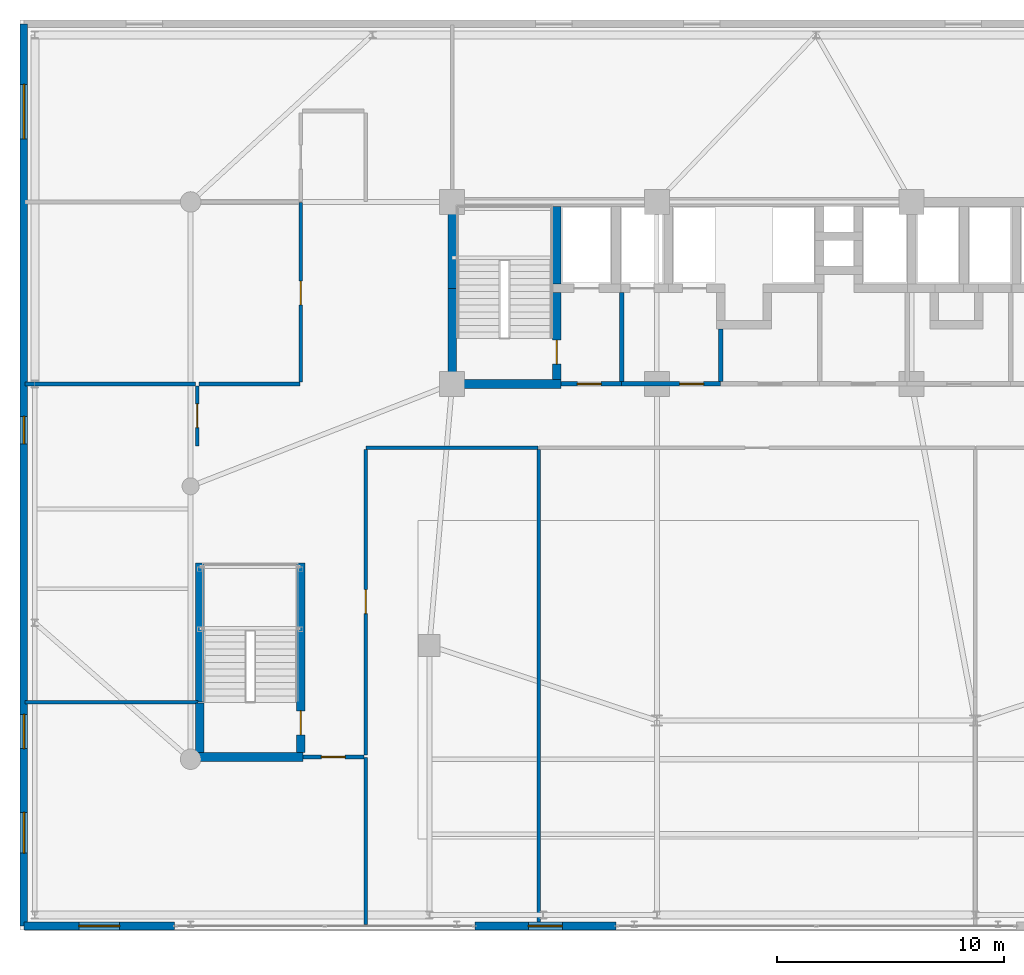
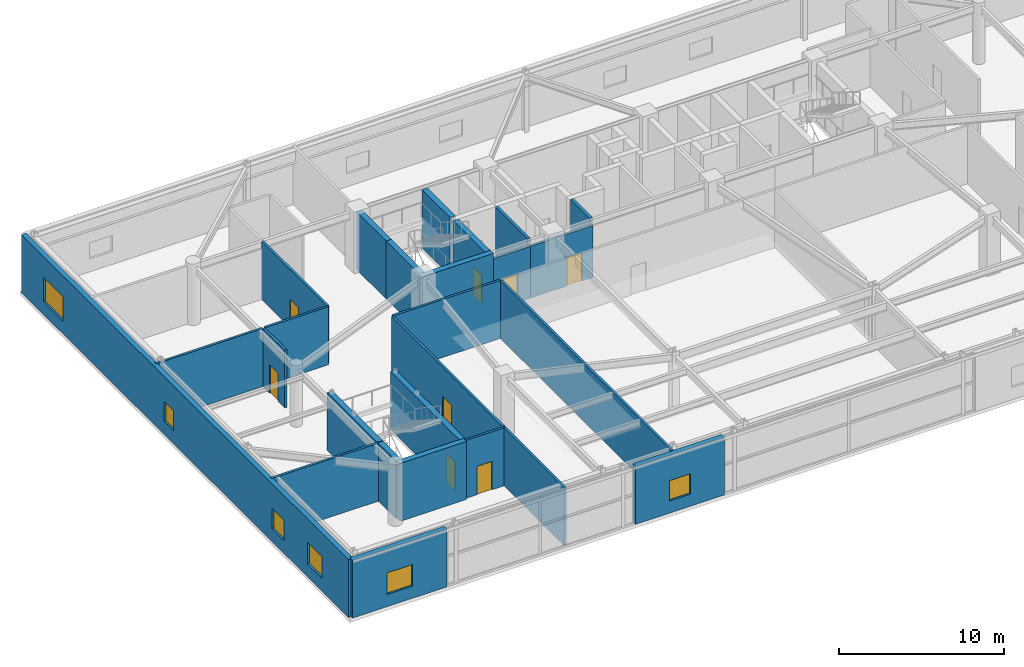
# One storey, part 20 of 26: 26 walls, 8 doors, 6 windows, 14 openings.
"""IFC4 building model written with IfcOpenShell, lengths in metres."""

from ifc_helpers import new_model, si_unit, direction, frame, frame_2d, origin, place, context, subcontext, project, spatial, rectangle, extrude, source, transform, mapped, material, layer, layer_set, type_object, element, fill, save


model = new_model("IFC4")

# Units and contexts
model_context = context("Model", 3, precision=1e-05, world=origin(), true_north=direction((0.0, 1.0)))
body_context = subcontext(model_context, "Body", "Model", "MODEL_VIEW")
ifc_project = project(units=[si_unit("LENGTHUNIT", "METRE"), si_unit("AREAUNIT", "SQUARE_METRE"), si_unit("VOLUMEUNIT", "CUBIC_METRE"), si_unit("PLANEANGLEUNIT", "RADIAN"), si_unit("MASSUNIT", "GRAM", prefix="KILO")], contexts=[model_context])

# Site, building, storey
site_placement = place(None, origin())
site = spatial("IfcSite", under=ifc_project, at=site_placement, CompositionType="ELEMENT")
building_placement = place(site_placement, origin())
building = spatial("IfcBuilding", under=site, at=building_placement, Name="Taldren Reach Tower", CompositionType="ELEMENT")
storey_placement = place(building_placement, frame((0.0, 0.0, 8.39990234375)))
storey = spatial("IfcBuildingStorey", under=building, at=storey_placement, Name="L02", CompositionType="ELEMENT", Elevation=8.39990234375)

# Wall, openings, windows
ifc_material_1 = material(Name="Pale Champagne Anodised Aluminium Cladding", Category="aluminium")
ifc_layer_1 = layer(ifc_material_1, 0.04, Name="Pale Champagne Anodised Aluminium Cladding", Category="aluminium")
ifc_material_2 = material(Name="Mineral Wool Thermal Insulation", Category="insulation")
ifc_layer_2 = layer(ifc_material_2, 0.08, Name="Mineral Wool Thermal Insulation", Category="insulation")
ifc_material_3 = material(Name="Concrete S50 (50 MPa)", Category="concrete")
ifc_layer_3 = layer(ifc_material_3, 0.22, Name="Concrete S50 (50 MPa)", Category="concrete")
ifc_layer_set_1 = layer_set([ifc_layer_1, ifc_layer_2, ifc_layer_3], Name="Pale Champagne Aluminium Cladding and Precast Concrete 50 MPa (S50)")
wall_type_1 = type_object("IfcWallType", Name="EW-POD-340", PredefinedType="SOLIDWALL", material=ifc_layer_set_1)
shared_shape_1 = source(origin(), body_context, "Body", "SweptSolid", [
    extrude(rectangle(XDim=39.66015625, YDim=0.340087890625, at=frame_2d((19.830078125, 0.0))), origin(), (0.0, 0.0, 1.0), 4.2900390625),
])
wall_1_placement = place(storey_placement, frame((0.169921875, 0.169921875, 0.0), z_axis=(0.0, 0.0, 1.0), x_axis=(0.0, 1.0, 0.0)))
wall_1 = element("IfcWall", 1, at=wall_1_placement, inside=storey, type_object=wall_type_1, Name="Podium facade wall L02-W", PredefinedType="SOLIDWALL", context=body_context, shape_type="MappedRepresentation", body=[
    mapped(shared_shape_1, transform((0.0, 0.0, 0.0), scale=1.0)),
])
shared_shape_2 = source(origin(), body_context, "Body", "SweptSolid", [
    extrude(rectangle(XDim=1.800048828125, YDim=1.60009765625, at=frame_2d((0.89990234375, 0.800048828125))), frame((0.0, 0.18017578125, 0.0), z_axis=(0.0, -1.0, 0.0), x_axis=(1.0, 0.0, 0.0)), (0.0, 0.0, 1.0), 0.360107421875),
])
opening_1_placement = place(wall_1_placement, frame((3.199951171875, 0.0, 0.949951171875)))
opening_1 = element("IfcOpeningElement", 2, at=opening_1_placement, cuts=wall_1, Name="Opening W-1816", PredefinedType="OPENING", context=body_context, shape_type="MappedRepresentation", body=[
    mapped(shared_shape_2, transform((0.0, 0.0, 0.0), scale=1.0)),
])
shared_shape_3 = source(origin(), body_context, "Body", "SweptSolid", [
    extrude(rectangle(XDim=1.5, YDim=1.5, at=frame_2d((0.75, 0.75))), frame((0.0, 0.18017578125, 0.0), z_axis=(0.0, -1.0, 0.0), x_axis=(1.0, 0.0, 0.0)), (0.0, 0.0, 1.0), 0.360107421875),
])
opening_2_placement = place(wall_1_placement, frame((7.800048828125, 0.0, 0.949951171875)))
opening_2 = element("IfcOpeningElement", 3, at=opening_2_placement, cuts=wall_1, Name="Opening W-1515", PredefinedType="OPENING", context=body_context, shape_type="MappedRepresentation", body=[
    mapped(shared_shape_3, transform((0.0, 0.0, 0.0), scale=1.0)),
])
shared_shape_4 = source(origin(), body_context, "Body", "SweptSolid", [
    extrude(rectangle(XDim=1.199951171875, YDim=1.5, at=frame_2d((0.60009765625, 0.75))), frame((0.0, 0.18017578125, 0.0), z_axis=(0.0, -1.0, 0.0), x_axis=(1.0, 0.0, 0.0)), (0.0, 0.0, 1.0), 0.360107421875),
])
opening_3_placement = place(wall_1_placement, frame((21.199951171875, 0.0, 0.949951171875)))
opening_3 = element("IfcOpeningElement", 4, at=opening_3_placement, cuts=wall_1, Name="Opening W-1215", PredefinedType="OPENING", context=body_context, shape_type="MappedRepresentation", body=[
    mapped(shared_shape_4, transform((0.0, 0.0, 0.0), scale=1.0)),
])
shared_shape_5 = source(origin(), body_context, "Body", "SweptSolid", [
    extrude(rectangle(XDim=2.39990234375, YDim=1.800048828125, at=frame_2d((1.199951171875, 0.89990234375))), frame((0.0, 0.18017578125, 0.0), z_axis=(0.0, -1.0, 0.0), x_axis=(1.0, 0.0, 0.0)), (0.0, 0.0, 1.0), 0.360107421875),
])
opening_4_placement = place(wall_1_placement, frame((34.60009765625, 0.0, 0.949951171875)))
opening_4 = element("IfcOpeningElement", 5, at=opening_4_placement, cuts=wall_1, Name="Opening W-2418", PredefinedType="OPENING", context=body_context, shape_type="MappedRepresentation", body=[
    mapped(shared_shape_5, transform((0.0, 0.0, 0.0), scale=1.0)),
])
ifc_material_4 = material(Name="Thermally Broken Aluminium and Low-E IGU", Category="aluminium")
window_type_1 = type_object("IfcWindowType", Name="WN-POD-1200", PartitioningType="SINGLE_PANEL", PredefinedType="WINDOW", material=ifc_material_4)
shared_shape_6 = source(origin(), body_context, "Body", "SweptSolid", [
    extrude(rectangle(XDim=1.199951171875, YDim=1.5, at=frame_2d((0.60009765625, 0.75))), frame((0.0, 0.030029296875, 0.0), z_axis=(0.0, -1.0, 0.0), x_axis=(1.0, 0.0, 0.0)), (0.0, 0.0, 1.0), 0.06005859375),
])
window_1_placement = place(opening_3_placement, origin())
window_1 = element("IfcWindow", 6, at=window_1_placement, inside=storey, type_object=window_type_1, Name="Clinical window L02-W3", OverallHeight=1.5, OverallWidth=1.199951171875, PartitioningType="SINGLE_PANEL", PredefinedType="WINDOW", context=body_context, shape_type="MappedRepresentation", body=[
    mapped(shared_shape_6, transform((0.0, 0.0, 0.0), scale=1.0)),
])
fill(opening_3, window_1)
window_type_2 = type_object("IfcWindowType", Name="WN-POD-1800", PartitioningType="SINGLE_PANEL", PredefinedType="WINDOW", material=ifc_material_4)
shared_shape_7 = source(origin(), body_context, "Body", "SweptSolid", [
    extrude(rectangle(XDim=1.800048828125, YDim=1.60009765625, at=frame_2d((0.89990234375, 0.800048828125))), frame((0.0, 0.030029296875, 0.0), z_axis=(0.0, -1.0, 0.0), x_axis=(1.0, 0.0, 0.0)), (0.0, 0.0, 1.0), 0.06005859375),
])
window_2_placement = place(opening_1_placement, origin())
window_2 = element("IfcWindow", 7, at=window_2_placement, inside=storey, type_object=window_type_2, Name="Clinical window L02-W1", OverallHeight=1.60009765625, OverallWidth=1.800048828125, PartitioningType="SINGLE_PANEL", PredefinedType="WINDOW", context=body_context, shape_type="MappedRepresentation", body=[
    mapped(shared_shape_7, transform((0.0, 0.0, 0.0), scale=1.0)),
])
fill(opening_1, window_2)
window_type_3 = type_object("IfcWindowType", Name="WN-POD-2400", PartitioningType="SINGLE_PANEL", PredefinedType="WINDOW", material=ifc_material_4)
shared_shape_8 = source(origin(), body_context, "Body", "SweptSolid", [
    extrude(rectangle(XDim=2.39990234375, YDim=1.800048828125, at=frame_2d((1.199951171875, 0.89990234375))), frame((0.0, 0.030029296875, 0.0), z_axis=(0.0, -1.0, 0.0), x_axis=(1.0, 0.0, 0.0)), (0.0, 0.0, 1.0), 0.06005859375),
])
window_3_placement = place(opening_4_placement, origin())
window_3 = element("IfcWindow", 8, at=window_3_placement, inside=storey, type_object=window_type_3, Name="Clinical window L02-W4", OverallHeight=1.800048828125, OverallWidth=2.39990234375, PartitioningType="SINGLE_PANEL", PredefinedType="WINDOW", context=body_context, shape_type="MappedRepresentation", body=[
    mapped(shared_shape_8, transform((0.0, 0.0, 0.0), scale=1.0)),
])
fill(opening_4, window_3)
window_type_4 = type_object("IfcWindowType", Name="WN-POD-1500", PartitioningType="SINGLE_PANEL", PredefinedType="WINDOW", material=ifc_material_4)
shared_shape_9 = source(origin(), body_context, "Body", "SweptSolid", [
    extrude(rectangle(XDim=1.5, YDim=1.5, at=frame_2d((0.75, 0.75))), frame((0.0, 0.030029296875, 0.0), z_axis=(0.0, -1.0, 0.0), x_axis=(1.0, 0.0, 0.0)), (0.0, 0.0, 1.0), 0.06005859375),
])
window_4_placement = place(opening_2_placement, origin())
window_4 = element("IfcWindow", 9, at=window_4_placement, inside=storey, type_object=window_type_4, Name="Clinical window L02-W2", OverallHeight=1.5, OverallWidth=1.5, PartitioningType="SINGLE_PANEL", PredefinedType="WINDOW", context=body_context, shape_type="MappedRepresentation", body=[
    mapped(shared_shape_9, transform((0.0, 0.0, 0.0), scale=1.0)),
])
fill(opening_2, window_4)

# Wall, opening, window
shared_shape_10 = source(origin(), body_context, "Body", "SweptSolid", [
    extrude(rectangle(XDim=6.630126953125, YDim=0.340087890625, at=frame_2d((3.31494140625, 0.0))), origin(), (0.0, 0.0, 1.0), 4.2900390625),
])
wall_2_placement = place(storey_placement, frame((0.169921875, 0.169921875, 0.0), z_axis=(0.0, 0.0, 1.0), x_axis=(1.0, 0.0, 0.0)))
wall_2 = element("IfcWall", 10, at=wall_2_placement, inside=storey, type_object=wall_type_1, Name="Podium south facade wall L02-S1", PredefinedType="SOLIDWALL", context=body_context, shape_type="MappedRepresentation", body=[
    mapped(shared_shape_10, transform((0.0, 0.0, 0.0), scale=1.0)),
])
opening_5_placement = place(wall_2_placement, frame((2.4150390625, 0.0, 0.89990234375)))
opening_5 = element("IfcOpeningElement", 11, at=opening_5_placement, cuts=wall_2, Name="Opening W-1816", PredefinedType="OPENING", context=body_context, shape_type="MappedRepresentation", body=[
    mapped(shared_shape_2, transform((0.0, 0.0, 0.0), scale=1.0)),
])
window_5_placement = place(opening_5_placement, origin())
window_5 = element("IfcWindow", 12, at=window_5_placement, inside=storey, type_object=window_type_2, Name="Podium clinical window L02-S1", OverallHeight=1.60009765625, OverallWidth=1.800048828125, PartitioningType="SINGLE_PANEL", PredefinedType="WINDOW", context=body_context, shape_type="MappedRepresentation", body=[
    mapped(shared_shape_7, transform((0.0, 0.0, 0.0), scale=1.0)),
])
fill(opening_5, window_5)

shared_shape_11 = source(origin(), body_context, "Body", "SweptSolid", [
    extrude(rectangle(XDim=6.199951171875, YDim=0.340087890625, at=frame_2d((3.10009765625, 0.0))), origin(), (0.0, 0.0, 1.0), 4.2900390625),
])
wall_3_placement = place(storey_placement, frame((20.0, 0.169921875, 0.0), z_axis=(0.0, 0.0, 1.0), x_axis=(1.0, 0.0, 0.0)))
wall_3 = element("IfcWall", 13, at=wall_3_placement, inside=storey, type_object=wall_type_1, Name="Podium south facade wall L02-S2", PredefinedType="SOLIDWALL", context=body_context, shape_type="MappedRepresentation", body=[
    mapped(shared_shape_11, transform((0.0, 0.0, 0.0), scale=1.0)),
])
opening_6_placement = place(wall_3_placement, frame((2.35009765625, 0.0, 0.89990234375)))
opening_6 = element("IfcOpeningElement", 14, at=opening_6_placement, cuts=wall_3, Name="Opening W-1515", PredefinedType="OPENING", context=body_context, shape_type="MappedRepresentation", body=[
    mapped(shared_shape_3, transform((0.0, 0.0, 0.0), scale=1.0)),
])
window_6_placement = place(opening_6_placement, origin())
window_6 = element("IfcWindow", 15, at=window_6_placement, inside=storey, type_object=window_type_4, Name="Podium clinical window L02-S2", OverallHeight=1.5, OverallWidth=1.5, PartitioningType="SINGLE_PANEL", PredefinedType="WINDOW", context=body_context, shape_type="MappedRepresentation", body=[
    mapped(shared_shape_9, transform((0.0, 0.0, 0.0), scale=1.0)),
])
fill(opening_6, window_6)

# Walls
ifc_material_5 = material(Name="Concrete S80 (80 MPa)", Category="concrete")
ifc_layer_4 = layer(ifc_material_5, 0.3798828125)
ifc_layer_set_2 = layer_set([ifc_layer_4], Name="Concrete S80 (80 MPa)")
wall_type_2 = type_object("IfcWallType", Name="IW-CORE-380", PredefinedType="SHEAR", material=ifc_layer_set_2)
shared_shape_12 = source(origin(), body_context, "Body", "SweptSolid", [
    extrude(rectangle(XDim=4.010009765625, YDim=0.3798828125, at=frame_2d((2.0048828125, 0.0))), origin(), (0.0, 0.0, 1.0), 4.2900390625),
])
wall_4_placement = place(storey_placement, frame((19.0, 24.18994140625, 0.0), z_axis=(0.0, 0.0, 1.0), x_axis=(0.0, 1.0, 0.0)))
element("IfcWall", 16, at=wall_4_placement, inside=storey, type_object=wall_type_2, Name="Rear Core Shear Wall W-CORE-L02-WEST1", PredefinedType="SHEAR", context=body_context, shape_type="MappedRepresentation", body=[
    mapped(shared_shape_12, transform((0.0, 0.0, 0.0), scale=1.0)),
])
shared_shape_13 = source(origin(), body_context, "Body", "SweptSolid", [
    extrude(rectangle(XDim=3.610107421875, YDim=0.3798828125, at=frame_2d((1.80517578125, 0.0))), origin(), (0.0, 0.0, 1.0), 4.2900390625),
])
wall_5_placement = place(storey_placement, frame((19.0, 28.199951171875, 0.0), z_axis=(0.0, 0.0, 1.0), x_axis=(0.0, 1.0, 0.0)))
element("IfcWall", 17, at=wall_5_placement, inside=storey, type_object=wall_type_2, Name="Rear Core Shear Wall W-CORE-L02-WEST2", PredefinedType="SHEAR", context=body_context, shape_type="MappedRepresentation", body=[
    mapped(shared_shape_13, transform((0.0, 0.0, 0.0), scale=1.0)),
])
shared_shape_14 = source(origin(), body_context, "Body", "SweptSolid", [
    extrude(rectangle(XDim=3.420166015625, YDim=0.3798828125, at=frame_2d((1.7099609375, 0.0))), origin(), (0.0, 0.0, 1.0), 4.2900390625),
])
wall_6_placement = place(storey_placement, frame((23.60009765625, 28.389892578125, 0.0), z_axis=(0.0, 0.0, 1.0), x_axis=(0.0, 1.0, 0.0)))
element("IfcWall", 18, at=wall_6_placement, inside=storey, type_object=wall_type_2, Name="Rear Core Shear Wall W-INT-L02-001", PredefinedType="SHEAR", context=body_context, shape_type="MappedRepresentation", body=[
    mapped(shared_shape_14, transform((0.0, 0.0, 0.0), scale=1.0)),
])

# Wall, opening, door
shared_shape_15 = source(origin(), body_context, "Body", "SweptSolid", [
    extrude(rectangle(XDim=3.820068359375, YDim=0.3798828125, at=frame_2d((1.91015625, 0.0))), origin(), (0.0, 0.0, 1.0), 4.2900390625),
])
wall_7_placement = place(storey_placement, frame((23.60009765625, 24.18994140625, 0.0), z_axis=(0.0, 0.0, 1.0), x_axis=(0.0, 1.0, 0.0)))
wall_7 = element("IfcWall", 19, at=wall_7_placement, inside=storey, type_object=wall_type_2, Name="Rear Core Shear Wall W-INT-L02-002", PredefinedType="SHEAR", context=body_context, shape_type="MappedRepresentation", body=[
    mapped(shared_shape_15, transform((0.0, 0.0, 0.0), scale=1.0)),
])
shared_shape_16 = source(origin(), body_context, "Body", "SweptSolid", [
    extrude(rectangle(XDim=1.050048828125, YDim=2.10009765625, at=frame_2d((0.52490234375, 1.050048828125))), frame((0.0, 0.199951171875, 0.0), z_axis=(0.0, -1.0, 0.0), x_axis=(1.0, 0.0, 0.0)), (0.0, 0.0, 1.0), 0.39990234375),
])
opening_7_placement = place(wall_7_placement, frame((0.68505859375, 0.0, 0.0)))
opening_7 = element("IfcOpeningElement", 20, at=opening_7_placement, cuts=wall_7, Name="Opening DF-105", PredefinedType="OPENING", context=body_context, shape_type="MappedRepresentation", body=[
    mapped(shared_shape_16, transform((0.0, 0.0, 0.0), scale=1.0)),
])
ifc_material_6 = material(Name="Fire-Rated Care and Stair Exit Door")
door_type = type_object("IfcDoorType", Name="ID-FIRE-105", OperationType="NOTDEFINED", PredefinedType="DOOR", material=ifc_material_6)
shared_shape_17 = source(origin(), body_context, "Body", "SweptSolid", [
    extrude(rectangle(XDim=1.050048828125, YDim=2.10009765625, at=frame_2d((0.52490234375, 1.050048828125))), frame((0.0, 0.02490234375, 0.0), z_axis=(0.0, -1.0, 0.0), x_axis=(1.0, 0.0, 0.0)), (0.0, 0.0, 1.0), 0.050048828125),
])
door_1_placement = place(opening_7_placement, origin())
door_1 = element("IfcDoor", 21, at=door_1_placement, inside=storey, type_object=door_type, Name="Fire Exit Stair Door DR-L02-001", OperationType="SINGLE_SWING_LEFT", OverallHeight=2.10009765625, OverallWidth=1.050048828125, PredefinedType="DOOR", context=body_context, shape_type="MappedRepresentation", body=[
    mapped(shared_shape_17, transform((0.0, 0.0, 0.0), scale=1.0)),
])
fill(opening_7, door_1)

# Walls
shared_shape_18 = source(origin(), body_context, "Body", "SweptSolid", [
    extrude(rectangle(XDim=4.97998046875, YDim=0.3798828125, at=frame_2d((2.489990234375, 0.0))), origin(), (0.0, 0.0, 1.0), 4.2900390625),
])
wall_8_placement = place(storey_placement, frame((18.81005859375, 24.0, 0.0), z_axis=(0.0, 0.0, 1.0), x_axis=(1.0, 0.0, 0.0)))
element("IfcWall", 22, at=wall_8_placement, inside=storey, type_object=wall_type_2, Name="Rear Core Shear Wall W-INT-L02-003", PredefinedType="SHEAR", context=body_context, shape_type="MappedRepresentation", body=[
    mapped(shared_shape_18, transform((0.0, 0.0, 0.0), scale=1.0)),
])
ifc_layer_5 = layer(ifc_material_3, 0.199951171875)
ifc_layer_set_3 = layer_set([ifc_layer_5], Name="Concrete S50 (50 MPa)")
wall_type_3 = type_object("IfcWallType", Name="IW-CORE-200", PredefinedType="SOLIDWALL", material=ifc_layer_set_3)
shared_shape_19 = source(origin(), body_context, "Body", "SweptSolid", [
    extrude(rectangle(XDim=3.909912109375, YDim=0.199951171875, at=frame_2d((1.955078125, 0.0))), origin(), (0.0, 0.0, 1.0), 4.2900390625),
])
wall_9_placement = place(storey_placement, frame((26.449951171875, 24.10009765625, 0.0), z_axis=(0.0, 0.0, 1.0), x_axis=(0.0, 1.0, 0.0)))
element("IfcWall", 23, at=wall_9_placement, inside=storey, type_object=wall_type_3, Name="Rear Core Shear Wall W-INT-L02-006", PredefinedType="SOLIDWALL", context=body_context, shape_type="MappedRepresentation", body=[
    mapped(shared_shape_19, transform((0.0, 0.0, 0.0), scale=1.0)),
])

# Wall, opening, door
shared_shape_20 = source(origin(), body_context, "Body", "SweptSolid", [
    extrude(rectangle(XDim=2.659912109375, YDim=0.199951171875, at=frame_2d((1.330078125, 0.0))), origin(), (0.0, 0.0, 1.0), 3.830078125),
])
wall_10_placement = place(storey_placement, frame((23.7900390625, 24.0, 0.0), z_axis=(0.0, 0.0, 1.0), x_axis=(1.0, 0.0, 0.0)))
wall_10 = element("IfcWall", 24, at=wall_10_placement, inside=storey, type_object=wall_type_3, Name="Rear Core Shear Wall W-INT-L02-007", PredefinedType="SOLIDWALL", context=body_context, shape_type="MappedRepresentation", body=[
    mapped(shared_shape_20, transform((0.0, 0.0, 0.0), scale=1.0)),
])
shared_shape_21 = source(origin(), body_context, "Body", "SweptSolid", [
    extrude(rectangle(XDim=1.050048828125, YDim=2.10009765625, at=frame_2d((0.52490234375, 1.050048828125))), frame((0.0, 0.10986328125, 0.0), z_axis=(0.0, -1.0, 0.0), x_axis=(1.0, 0.0, 0.0)), (0.0, 0.0, 1.0), 0.219970703125),
])
opening_8_placement = place(wall_10_placement, frame((0.7099609375, 0.0, 0.0)))
opening_8 = element("IfcOpeningElement", 25, at=opening_8_placement, cuts=wall_10, Name="Opening DF-105", PredefinedType="OPENING", context=body_context, shape_type="MappedRepresentation", body=[
    mapped(shared_shape_21, transform((0.0, 0.0, 0.0), scale=1.0)),
])
door_2_placement = place(opening_8_placement, origin())
door_2 = element("IfcDoor", 26, at=door_2_placement, inside=storey, type_object=door_type, Name="Interior Door DR-L02-002", OperationType="SINGLE_SWING_LEFT", OverallHeight=2.10009765625, OverallWidth=1.050048828125, PredefinedType="DOOR", context=body_context, shape_type="MappedRepresentation", body=[
    mapped(shared_shape_17, transform((0.0, 0.0, 0.0), scale=1.0)),
])
fill(opening_8, door_2)

shared_shape_22 = source(origin(), body_context, "Body", "SweptSolid", [
    extrude(rectangle(XDim=4.35009765625, YDim=0.199951171875, at=frame_2d((2.175048828125, 0.0))), origin(), (0.0, 0.0, 1.0), 3.830078125),
])
wall_11_placement = place(storey_placement, frame((30.800048828125, 24.0, 0.0), z_axis=(0.0, 0.0, 1.0), x_axis=(-1.0, 0.0, 0.0)))
wall_11 = element("IfcWall", 27, at=wall_11_placement, inside=storey, type_object=wall_type_3, Name="Rear Core Shear Wall W-INT-L02-033", PredefinedType="SOLIDWALL", context=body_context, shape_type="MappedRepresentation", body=[
    mapped(shared_shape_22, transform((0.0, 0.0, 0.0), scale=1.0)),
])
opening_9_placement = place(wall_11_placement, frame((0.75, 0.0, 0.0)))
opening_9 = element("IfcOpeningElement", 28, at=opening_9_placement, cuts=wall_11, Name="Opening DF-105", PredefinedType="OPENING", context=body_context, shape_type="MappedRepresentation", body=[
    mapped(shared_shape_21, transform((0.0, 0.0, 0.0), scale=1.0)),
])
door_3_placement = place(opening_9_placement, frame((1.050048828125, 0.0, 0.0), z_axis=(0.0, 0.0, 1.0), x_axis=(-1.0, 0.0, 0.0)))
door_3 = element("IfcDoor", 29, at=door_3_placement, inside=storey, type_object=door_type, Name="Interior Door DR-L02-005", OperationType="SINGLE_SWING_RIGHT", OverallHeight=2.10009765625, OverallWidth=1.050048828125, PredefinedType="DOOR", context=body_context, shape_type="MappedRepresentation", body=[
    mapped(shared_shape_17, transform((0.0, 0.0, 0.0), scale=1.0)),
])
fill(opening_9, door_3)

# Wall
shared_shape_23 = source(origin(), body_context, "Body", "SweptSolid", [
    extrude(rectangle(XDim=4.659912109375, YDim=0.3798828125, at=frame_2d((2.330078125, 0.0))), origin(), (0.0, 0.0, 1.0), 4.2900390625),
])
wall_12_placement = place(storey_placement, frame((12.449951171875, 7.60009765625, 0.0), z_axis=(0.0, 0.0, 1.0), x_axis=(-1.0, 0.0, 0.0)))
element("IfcWall", 30, at=wall_12_placement, inside=storey, type_object=wall_type_2, Name="Rear Core Shear Wall W-INT-L02-048", PredefinedType="SHEAR", context=body_context, shape_type="MappedRepresentation", body=[
    mapped(shared_shape_23, transform((0.0, 0.0, 0.0), scale=1.0)),
])

# Wall, opening, door
ifc_material_7 = material(Name="Fire-Rated Acoustic Plasterboard Stud Wall", Category="gypsum")
ifc_layer_6 = layer(ifc_material_7, 0.159912109375)
ifc_layer_set_4 = layer_set([ifc_layer_6], Name="Fire-Rated Acoustic Plasterboard Stud Wall")
wall_type_4 = type_object("IfcWallType", Name="IW-FIRE-160", PredefinedType="PARTITIONING", material=ifc_layer_set_4)
shared_shape_24 = source(origin(), body_context, "Body", "SweptSolid", [
    extrude(rectangle(XDim=13.440185546875, YDim=0.159912109375, at=frame_2d((6.72021484375, 0.0))), origin(), (0.0, 0.0, 1.0), 4.2900390625),
])
wall_13_placement = place(storey_placement, frame((15.199951171875, 21.1201171875, 0.0), z_axis=(0.0, 0.0, 1.0), x_axis=(0.0, -1.0, 0.0)))
wall_13 = element("IfcWall", 31, at=wall_13_placement, inside=storey, type_object=wall_type_4, Name="Interior Partition Wall W-INT-L02-051", PredefinedType="PARTITIONING", context=body_context, shape_type="MappedRepresentation", body=[
    mapped(shared_shape_24, transform((0.0, 0.0, 0.0), scale=1.0)),
])
shared_shape_25 = source(origin(), body_context, "Body", "SweptSolid", [
    extrude(rectangle(XDim=1.050048828125, YDim=2.10009765625, at=frame_2d((0.52490234375, 1.050048828125))), frame((0.0, 0.08984375, 0.0), z_axis=(0.0, -1.0, 0.0), x_axis=(1.0, 0.0, 0.0)), (0.0, 0.0, 1.0), 0.179931640625),
])
opening_10_placement = place(wall_13_placement, frame((6.1650390625, 0.0, 0.0)))
opening_10 = element("IfcOpeningElement", 32, at=opening_10_placement, cuts=wall_13, Name="Opening DF-105", PredefinedType="OPENING", context=body_context, shape_type="MappedRepresentation", body=[
    mapped(shared_shape_25, transform((0.0, 0.0, 0.0), scale=1.0)),
])
door_4_placement = place(opening_10_placement, origin())
door_4 = element("IfcDoor", 33, at=door_4_placement, inside=storey, type_object=door_type, Name="Interior Door DR-L02-010", OperationType="SINGLE_SWING_LEFT", OverallHeight=2.10009765625, OverallWidth=1.050048828125, PredefinedType="DOOR", context=body_context, shape_type="MappedRepresentation", body=[
    mapped(shared_shape_17, transform((0.0, 0.0, 0.0), scale=1.0)),
])
fill(opening_10, door_4)

shared_shape_26 = source(origin(), body_context, "Body", "SweptSolid", [
    extrude(rectangle(XDim=2.670166015625, YDim=0.159912109375, at=frame_2d((1.3349609375, 0.0))), origin(), (0.0, 0.0, 1.0), 4.2900390625),
])
wall_14_placement = place(storey_placement, frame((15.1201171875, 7.60009765625, 0.0), z_axis=(0.0, 0.0, 1.0), x_axis=(-1.0, 0.0, 0.0)))
wall_14 = element("IfcWall", 34, at=wall_14_placement, inside=storey, type_object=wall_type_4, Name="Interior Partition Wall W-INT-L02-056", PredefinedType="PARTITIONING", context=body_context, shape_type="MappedRepresentation", body=[
    mapped(shared_shape_26, transform((0.0, 0.0, 0.0), scale=1.0)),
])
opening_11_placement = place(wall_14_placement, frame((0.824951171875, 0.0, 0.0)))
opening_11 = element("IfcOpeningElement", 35, at=opening_11_placement, cuts=wall_14, Name="Opening DF-105", PredefinedType="OPENING", context=body_context, shape_type="MappedRepresentation", body=[
    mapped(shared_shape_25, transform((0.0, 0.0, 0.0), scale=1.0)),
])
door_5_placement = place(opening_11_placement, origin())
door_5 = element("IfcDoor", 36, at=door_5_placement, inside=storey, type_object=door_type, Name="Interior Door DR-L02-013", OperationType="SINGLE_SWING_RIGHT", OverallHeight=2.10009765625, OverallWidth=1.050048828125, PredefinedType="DOOR", context=body_context, shape_type="MappedRepresentation", body=[
    mapped(shared_shape_17, transform((0.0, 0.0, 0.0), scale=1.0)),
])
fill(opening_11, door_5)

# Wall
shared_shape_27 = source(origin(), body_context, "Body", "SweptSolid", [
    extrude(rectangle(XDim=4.43994140625, YDim=0.159912109375, at=frame_2d((2.219970703125, 0.0))), origin(), (0.0, 0.0, 1.0), 4.2900390625),
])
wall_15_placement = place(storey_placement, frame((7.8798828125, 24.0, 0.0), z_axis=(0.0, 0.0, 1.0), x_axis=(1.0, 0.0, 0.0)))
element("IfcWall", 37, at=wall_15_placement, inside=storey, type_object=wall_type_4, Name="Interior Partition Wall W-INT-L02-059", PredefinedType="PARTITIONING", context=body_context, shape_type="MappedRepresentation", body=[
    mapped(shared_shape_27, transform((0.0, 0.0, 0.0), scale=1.0)),
])

# Wall, opening, door
shared_shape_28 = source(origin(), body_context, "Body", "SweptSolid", [
    extrude(rectangle(XDim=2.639892578125, YDim=0.159912109375, at=frame_2d((1.31982421875, 0.0))), origin(), (0.0, 0.0, 1.0), 4.2900390625),
])
wall_16_placement = place(storey_placement, frame((7.800048828125, 21.280029296875, 0.0), z_axis=(0.0, 0.0, 1.0), x_axis=(0.0, 1.0, 0.0)))
wall_16 = element("IfcWall", 38, at=wall_16_placement, inside=storey, type_object=wall_type_4, Name="Interior Partition Wall W-INT-L02-057", PredefinedType="PARTITIONING", context=body_context, shape_type="MappedRepresentation", body=[
    mapped(shared_shape_28, transform((0.0, 0.0, 0.0), scale=1.0)),
])
opening_12_placement = place(wall_16_placement, frame((0.794921875, 0.0, 0.0)))
opening_12 = element("IfcOpeningElement", 39, at=opening_12_placement, cuts=wall_16, Name="Opening DF-105", PredefinedType="OPENING", context=body_context, shape_type="MappedRepresentation", body=[
    mapped(shared_shape_25, transform((0.0, 0.0, 0.0), scale=1.0)),
])
door_6_placement = place(opening_12_placement, origin())
door_6 = element("IfcDoor", 40, at=door_6_placement, inside=storey, type_object=door_type, Name="Interior Door DR-L02-014", OperationType="SINGLE_SWING_LEFT", OverallHeight=2.10009765625, OverallWidth=1.050048828125, PredefinedType="DOOR", context=body_context, shape_type="MappedRepresentation", body=[
    mapped(shared_shape_17, transform((0.0, 0.0, 0.0), scale=1.0)),
])
fill(opening_12, door_6)

shared_shape_29 = source(origin(), body_context, "Body", "SweptSolid", [
    extrude(rectangle(XDim=7.899658203125, YDim=0.159912109375, at=frame_2d((3.94970703125, 0.0))), origin(), (0.0, 0.0, 1.0), 4.2900390625),
])
wall_17_placement = place(storey_placement, frame((12.340087890625, 24.080078125, 0.0), z_axis=(0.0, 0.0, 1.0), x_axis=(0.0, 1.0, 0.0)))
wall_17 = element("IfcWall", 41, at=wall_17_placement, inside=storey, type_object=wall_type_4, Name="Interior Partition Wall W-INT-L02-058", PredefinedType="PARTITIONING", context=body_context, shape_type="MappedRepresentation", body=[
    mapped(shared_shape_29, transform((0.0, 0.0, 0.0), scale=1.0)),
])
opening_13_placement = place(wall_17_placement, frame((3.39501953125, 0.0, 0.0)))
opening_13 = element("IfcOpeningElement", 42, at=opening_13_placement, cuts=wall_17, Name="Opening DF-105", PredefinedType="OPENING", context=body_context, shape_type="MappedRepresentation", body=[
    mapped(shared_shape_25, transform((0.0, 0.0, 0.0), scale=1.0)),
])
door_7_placement = place(opening_13_placement, origin())
door_7 = element("IfcDoor", 43, at=door_7_placement, inside=storey, type_object=door_type, Name="Interior Door DR-L02-015", OperationType="SINGLE_SWING_RIGHT", OverallHeight=2.10009765625, OverallWidth=1.050048828125, PredefinedType="DOOR", context=body_context, shape_type="MappedRepresentation", body=[
    mapped(shared_shape_17, transform((0.0, 0.0, 0.0), scale=1.0)),
])
fill(opening_13, door_7)

# Walls
shared_shape_30 = source(origin(), body_context, "Body", "SweptSolid", [
    extrude(rectangle(XDim=7.349853515625, YDim=0.159912109375, at=frame_2d((3.6748046875, 0.0))), origin(), (0.0, 0.0, 1.0), 4.2900390625),
])
wall_18_placement = place(storey_placement, frame((15.199951171875, 0.22998046875, 0.0), z_axis=(0.0, 0.0, 1.0), x_axis=(0.0, 1.0, 0.0)))
element("IfcWall", 44, at=wall_18_placement, inside=storey, type_object=wall_type_4, Name="Interior Partition Wall W-INT-L02-073", PredefinedType="PARTITIONING", context=body_context, shape_type="MappedRepresentation", body=[
    mapped(shared_shape_30, transform((0.0, 0.0, 0.0), scale=1.0)),
])
shared_shape_31 = source(origin(), body_context, "Body", "SweptSolid", [
    extrude(rectangle(XDim=7.590087890625, YDim=0.159912109375, at=frame_2d((3.794921875, 0.0))), origin(), (0.0, 0.0, 1.0), 4.2900390625),
])
wall_19_placement = place(storey_placement, frame((0.22998046875, 10.0, 0.0), z_axis=(0.0, 0.0, 1.0), x_axis=(1.0, 0.0, 0.0)))
element("IfcWall", 45, at=wall_19_placement, inside=storey, type_object=wall_type_4, Name="Interior Partition Wall W-INT-L02-075", PredefinedType="PARTITIONING", context=body_context, shape_type="MappedRepresentation", body=[
    mapped(shared_shape_31, transform((0.0, 0.0, 0.0), scale=1.0)),
])
shared_shape_32 = source(origin(), body_context, "Body", "SweptSolid", [
    extrude(rectangle(XDim=2.309814453125, YDim=0.199951171875, at=frame_2d((1.15478515625, 0.0))), origin(), (0.0, 0.0, 1.0), 4.2900390625),
])
wall_20_placement = place(storey_placement, frame((30.800048828125, 26.409912109375, 0.0), z_axis=(0.0, 0.0, 1.0), x_axis=(0.0, -1.0, 0.0)))
element("IfcWall", 46, at=wall_20_placement, inside=storey, type_object=wall_type_3, Name="Rear Core Shear Wall W-INT-L02-032", PredefinedType="SOLIDWALL", context=body_context, shape_type="MappedRepresentation", body=[
    mapped(shared_shape_32, transform((0.0, 0.0, 0.0), scale=1.0)),
])

# Wall, opening, door
shared_shape_33 = source(origin(), body_context, "Body", "SweptSolid", [
    extrude(rectangle(XDim=8.330078125, YDim=0.3798828125, at=frame_2d((4.1650390625, 0.0))), origin(), (0.0, 0.0, 1.0), 4.2900390625),
])
wall_21_placement = place(storey_placement, frame((12.340087890625, 16.1201171875, 0.0), z_axis=(0.0, 0.0, 1.0), x_axis=(0.0, -1.0, 0.0)))
wall_21 = element("IfcWall", 47, at=wall_21_placement, inside=storey, type_object=wall_type_2, Name="Rear Core Shear Wall W-INT-L02-047", PredefinedType="SHEAR", context=body_context, shape_type="MappedRepresentation", body=[
    mapped(shared_shape_33, transform((0.0, 0.0, 0.0), scale=1.0)),
])
opening_14_placement = place(wall_21_placement, frame((6.4951171875, 0.0, 0.0)))
opening_14 = element("IfcOpeningElement", 48, at=opening_14_placement, cuts=wall_21, Name="Opening DF-105", PredefinedType="OPENING", context=body_context, shape_type="MappedRepresentation", body=[
    mapped(shared_shape_16, transform((0.0, 0.0, 0.0), scale=1.0)),
])
door_8_placement = place(opening_14_placement, frame((1.050048828125, 0.0, 0.0), z_axis=(0.0, 0.0, 1.0), x_axis=(-1.0, 0.0, 0.0)))
door_8 = element("IfcDoor", 49, at=door_8_placement, inside=storey, type_object=door_type, Name="Fire Exit Stair Door DR-L02-009", OperationType="SINGLE_SWING_LEFT", OverallHeight=2.10009765625, OverallWidth=1.050048828125, PredefinedType="DOOR", context=body_context, shape_type="MappedRepresentation", body=[
    mapped(shared_shape_17, transform((0.0, 0.0, 0.0), scale=1.0)),
])
fill(opening_14, door_8)

# Walls
shared_shape_34 = source(origin(), body_context, "Body", "SweptSolid", [
    extrude(rectangle(XDim=2.189697265625, YDim=0.3798828125, at=frame_2d((1.0947265625, 0.0))), origin(), (0.0, 0.0, 1.0), 4.2900390625),
])
wall_22_placement = place(storey_placement, frame((7.89990234375, 7.7900390625, 0.0), z_axis=(0.0, 0.0, 1.0), x_axis=(0.0, 1.0, 0.0)))
element("IfcWall", 50, at=wall_22_placement, inside=storey, type_object=wall_type_2, Name="Rear Core Shear Wall W-INT-L02-049", PredefinedType="SHEAR", context=body_context, shape_type="MappedRepresentation", body=[
    mapped(shared_shape_34, transform((0.0, 0.0, 0.0), scale=1.0)),
])
shared_shape_35 = source(origin(), body_context, "Body", "SweptSolid", [
    extrude(rectangle(XDim=6.099853515625, YDim=0.3798828125, at=frame_2d((3.0498046875, 0.0))), origin(), (0.0, 0.0, 1.0), 4.2900390625),
])
wall_23_placement = place(storey_placement, frame((7.89990234375, 10.020263671875, 0.0), z_axis=(0.0, 0.0, 1.0), x_axis=(0.0, 1.0, 0.0)))
element("IfcWall", 51, at=wall_23_placement, inside=storey, type_object=wall_type_2, Name="Rear Core Shear Wall W-INT-L02-050", PredefinedType="SHEAR", context=body_context, shape_type="MappedRepresentation", body=[
    mapped(shared_shape_35, transform((0.0, 0.0, 0.0), scale=1.0)),
])
shared_shape_36 = source(origin(), body_context, "Body", "SweptSolid", [
    extrude(rectangle(XDim=7.5595703125, YDim=0.159912109375, at=frame_2d((3.77978515625, 0.0))), origin(), (0.0, 0.0, 1.0), 4.2900390625),
])
wall_24_placement = place(storey_placement, frame((22.77978515625, 21.199951171875, 0.0), z_axis=(0.0, 0.0, 1.0), x_axis=(-1.0, 0.0, 0.0)))
element("IfcWall", 52, at=wall_24_placement, inside=storey, type_object=wall_type_4, Name="Interior Partition Wall W-INT-L02-052", PredefinedType="PARTITIONING", context=body_context, shape_type="MappedRepresentation", body=[
    mapped(shared_shape_36, transform((0.0, 0.0, 0.0), scale=1.0)),
])
shared_shape_37 = source(origin(), body_context, "Body", "SweptSolid", [
    extrude(rectangle(XDim=20.89013671875, YDim=0.159912109375, at=frame_2d((10.445068359375, 0.0))), origin(), (0.0, 0.0, 1.0), 4.2900390625),
])
wall_25_placement = place(storey_placement, frame((22.800048828125, 21.1201171875, 0.0), z_axis=(0.0, 0.0, 1.0), x_axis=(0.0, -1.0, 0.0)))
element("IfcWall", 53, at=wall_25_placement, inside=storey, type_object=wall_type_4, Name="Interior Partition Wall W-INT-L02-072", PredefinedType="PARTITIONING", context=body_context, shape_type="MappedRepresentation", body=[
    mapped(shared_shape_37, transform((0.0, 0.0, 0.0), scale=1.0)),
])
shared_shape_38 = source(origin(), body_context, "Body", "SweptSolid", [
    extrude(rectangle(XDim=7.489990234375, YDim=0.159912109375, at=frame_2d((3.7451171875, 0.0))), origin(), (0.0, 0.0, 1.0), 4.2900390625),
])
wall_26_placement = place(storey_placement, frame((0.22998046875, 24.0, 0.0), z_axis=(0.0, 0.0, 1.0), x_axis=(1.0, 0.0, 0.0)))
element("IfcWall", 54, at=wall_26_placement, inside=storey, type_object=wall_type_4, Name="Interior Partition Wall W-INT-L02-076", PredefinedType="PARTITIONING", context=body_context, shape_type="MappedRepresentation", body=[
    mapped(shared_shape_38, transform((0.0, 0.0, 0.0), scale=1.0)),
])

save(model, "model.ifc")
